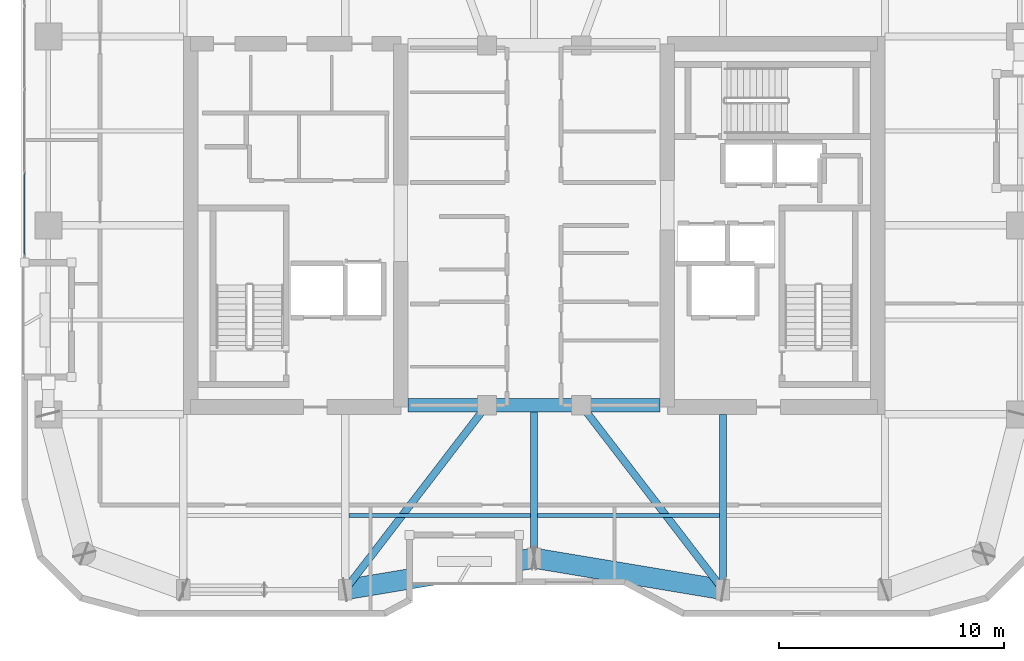
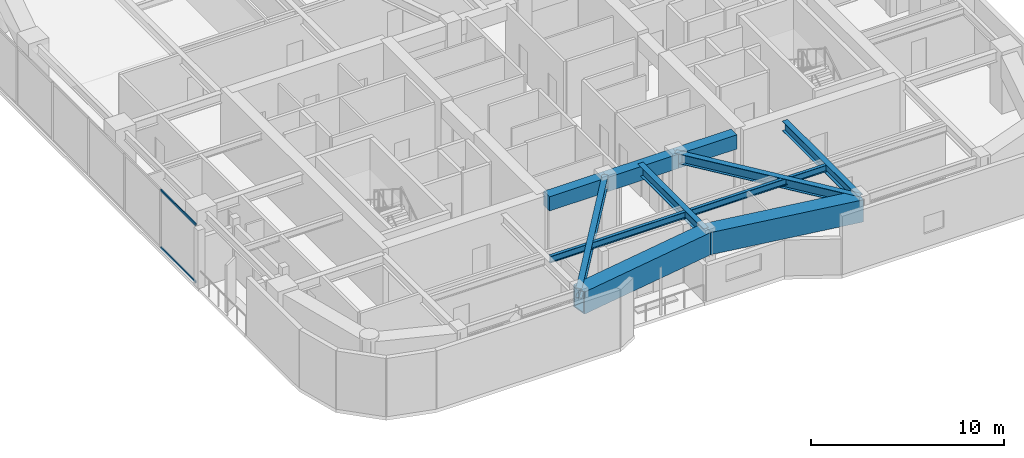
# One storey, part 3 of 21: 11 beams, 2 members, 1 element without a shape of its own.
"""IFC4 building model written with IfcOpenShell, lengths in metres."""

import ifcopenshell
import ifcopenshell.guid

model = None  # the IFC model being written
_history = None  # IfcOwnerHistory: only IFC2X3 demands one
_inside = {}  # id of a spatial element -> (the spatial element, [elements in it])
_under = {}  # id of a project, library or spatial element -> (it, [spatial elements below it])
_declared = {}  # id of a project -> (the project, [libraries it declares])
_typed = {}  # id of a type object -> (the type object, [elements of that type])
_made_of = {}  # id of a material, layer set ... -> (it, [elements and type objects made of it])


def new_model(schema):
    """Start an empty IFC model of exactly this schema.

    Asked for "IFC4X3", IfcOpenShell would pick the latest addendum, in which some entities
    have other attributes; the version numbers below select the first issue.
    IFC2X3 requires an IfcOwnerHistory on every rooted entity: one is made here for all.
    """
    global model, _history
    if schema == "IFC4X3":
        model = ifcopenshell.file(schema_version=(4, 3, 0, 0))
    else:
        model = ifcopenshell.file(schema=schema)
    _inside.clear()
    _under.clear()
    _declared.clear()
    _typed.clear()
    _made_of.clear()
    _history = None
    if model.schema == "IFC2X3":
        org = make("IfcOrganization", Name="unknown")
        user = make(
            "IfcPersonAndOrganization",
            ThePerson=make("IfcPerson", FamilyName="unknown"),
            TheOrganization=org,
        )
        app = make(
            "IfcApplication",
            ApplicationDeveloper=org,
            Version="unknown",
            ApplicationFullName="unknown",
            ApplicationIdentifier="unknown",
        )
        _history = make(
            "IfcOwnerHistory",
            OwningUser=user,
            OwningApplication=app,
            ChangeAction="ADDED",
            CreationDate=0,
        )
    return model


def make(cls, **values):
    """One entity of the class cls with the attributes given. An attribute that is None is left unset."""
    return model.create_entity(
        cls, **{name: value for name, value in values.items() if value is not None}
    )


def rooted(cls, **values):
    """An entity with a GlobalId (a new one), such as an element, a storey or a relation."""
    return make(cls, GlobalId=ifcopenshell.guid.new(), OwnerHistory=_history, **values)


def si_unit(unit_type, name, prefix=None):
    """IfcSIUnit, for example si_unit("LENGTHUNIT", "METRE", prefix="MILLI")."""
    return make("IfcSIUnit", UnitType=unit_type, Prefix=prefix, Name=name)


def assignment(units):
    """IfcUnitAssignment: the units of a project."""
    return None if units is None else make("IfcUnitAssignment", Units=units)


def point(xyz):
    """IfcCartesianPoint."""
    return None if xyz is None else make("IfcCartesianPoint", Coordinates=xyz)


def direction(xyz):
    """IfcDirection."""
    return None if xyz is None else make("IfcDirection", DirectionRatios=xyz)


def frame(location, z_axis=None, x_axis=None):
    """IfcAxis2Placement3D, a coordinate frame: its origin and axes. An axis left out is left unset."""
    return make(
        "IfcAxis2Placement3D",
        Location=point(location),
        Axis=direction(z_axis),
        RefDirection=direction(x_axis),
    )


def frame_2d(location, x_axis=None):
    """IfcAxis2Placement2D, a coordinate frame in the plane: its origin and x axis."""
    return make(
        "IfcAxis2Placement2D", Location=point(location), RefDirection=direction(x_axis)
    )


def origin():
    """The frame at (0, 0, 0) with its axes left unset."""
    return frame((0.0, 0.0, 0.0))


def origin_2d():
    """The frame at (0, 0) in the plane with its x axis left unset."""
    return frame_2d((0.0, 0.0))


def place(relative_to, where):
    """IfcLocalPlacement: puts the frame where relative to a parent placement (None: the world)."""
    return make(
        "IfcLocalPlacement", PlacementRelTo=relative_to, RelativePlacement=where
    )


def context(
    kind, dimensions, precision=None, world=None, true_north=None, identifier=None
):
    """IfcGeometricRepresentationContext, for example the 3D "Model" context."""
    return make(
        "IfcGeometricRepresentationContext",
        ContextIdentifier=identifier,
        ContextType=kind,
        CoordinateSpaceDimension=dimensions,
        Precision=precision,
        WorldCoordinateSystem=world,
        TrueNorth=true_north,
    )


def subcontext(parent, identifier, kind, view, scale=None):
    """IfcGeometricRepresentationSubContext, for example "Body" below "Model"."""
    return make(
        "IfcGeometricRepresentationSubContext",
        ContextIdentifier=identifier,
        ContextType=kind,
        ParentContext=parent,
        TargetScale=scale,
        TargetView=view,
    )


def project(units=None, contexts=None):
    """IfcProject with its units and contexts."""
    return rooted(
        "IfcProject",
        Name="project",
        RepresentationContexts=contexts,
        UnitsInContext=assignment(units),
    )


def spatial(cls, under=None, at=None, **own):
    """A site, building, storey or space (cls), placed at a placement, below another one or the project."""
    s = rooted(cls, ObjectPlacement=at, **own)
    if under is not None:
        _under.setdefault(under.id(), (under, []))[1].append(s)
    return s


def profile(cls, at=None, kind="AREA", **sizes):
    """A parametric profile (cls). Its sizes go by their IFC names, for example OverallWidth=200.0."""
    return make(cls, ProfileType=kind, Position=at, **sizes)


def rectangle(**sizes):
    """IfcRectangleProfileDef."""
    return profile("IfcRectangleProfileDef", **sizes)


def hollow_rectangle(**sizes):
    """IfcRectangleHollowProfileDef."""
    return profile("IfcRectangleHollowProfileDef", **sizes)


def i_section(**sizes):
    """IfcIShapeProfileDef."""
    return profile("IfcIShapeProfileDef", **sizes)


def extrude(swept, where, along, depth):
    """IfcExtrudedAreaSolid: the profile swept, set in the frame where, extruded along a direction by depth."""
    return make(
        "IfcExtrudedAreaSolid",
        SweptArea=swept,
        Position=where,
        ExtrudedDirection=direction(along),
        Depth=depth,
    )


def shape(context_of_items, identifier, shape_type, items):
    """IfcShapeRepresentation: the items that make up one representation, for example the "Body"."""
    return make(
        "IfcShapeRepresentation",
        ContextOfItems=context_of_items,
        RepresentationIdentifier=identifier,
        RepresentationType=shape_type,
        Items=items,
    )


def material(Name=None, Category=None):
    """IfcMaterial."""
    return make("IfcMaterial", Name=Name, Category=Category)


def layer(
    of_material, thickness, ventilated=None, Name=None, Category=None, Priority=None
):
    """IfcMaterialLayer: one layer of a wall or slab, of a material (None: an air gap)."""
    return make(
        "IfcMaterialLayer",
        Material=of_material,
        LayerThickness=thickness,
        IsVentilated=ventilated,
        Name=Name,
        Category=Category,
        Priority=Priority,
    )


def layer_set(layers, Name=None):
    """IfcMaterialLayerSet."""
    return make("IfcMaterialLayerSet", MaterialLayers=layers, LayerSetName=Name)


def material_profile(
    of_material, cross_section, Name=None, Category=None, Priority=None
):
    """IfcMaterialProfile: a cross section and its material."""
    return make(
        "IfcMaterialProfile",
        Name=Name,
        Material=of_material,
        Profile=cross_section,
        Priority=Priority,
        Category=Category,
    )


def profile_set(profiles, Name=None, composite=None):
    """IfcMaterialProfileSet."""
    return make(
        "IfcMaterialProfileSet",
        Name=Name,
        MaterialProfiles=profiles,
        CompositeProfile=composite,
    )


def made_of(thing, what):
    """Note that an element or type object is made of a material, layer set ...; save() writes the relation."""
    if what is not None:
        _made_of.setdefault(what.id(), (what, []))[1].append(thing)
    return thing


def type_object(cls, material=None, **own):
    """A type object (cls), such as IfcWallType, which elements share."""
    return made_of(rooted(cls, **own), material)


def element(
    cls,
    number,
    at=None,
    inside=None,
    cuts=None,
    type_object=None,
    material=None,
    context=None,
    identifier="Body",
    shape_type=None,
    held_by="IfcProductDefinitionShape",
    body=None,
    shapes=None,
    **own,
):
    """One element of the class cls, such as IfcWall. Its Tag is "e" and its number.

    at: its placement. inside: the storey or other place that contains it. cuts: it is an
    opening in that element (IfcRelVoidsElement). A single representation is given by context,
    identifier, shape_type and body (its items); several are given by shapes. held_by: the class
    of the entity that holds the representations. save() writes the other relations.
    """
    e = rooted(cls, Tag="e%d" % number, ObjectPlacement=at, **own)
    if body is not None:
        shapes = [shape(context, identifier, shape_type, body)]
    if shapes is not None:
        e.Representation = make(held_by, Representations=shapes)
    if inside is not None:
        _inside.setdefault(inside.id(), (inside, []))[1].append(e)
    if cuts is not None:
        rooted(
            "IfcRelVoidsElement", RelatingBuildingElement=cuts, RelatedOpeningElement=e
        )
    if type_object is not None:
        _typed.setdefault(type_object.id(), (type_object, []))[1].append(e)
    return made_of(e, material)


def aggregate(whole, parts):
    """IfcRelAggregates: a whole, such as a stair, and the parts it consists of."""
    return rooted("IfcRelAggregates", RelatingObject=whole, RelatedObjects=parts)


def save(model, path):
    """Write the relations noted so far, then the file.

    IfcRelAggregates (storeys below a building ...), IfcRelContainedInSpatialStructure (elements
    in a storey), IfcRelDefinesByType, IfcRelAssociatesMaterial and IfcRelDeclares: one each for
    every whole, place, type object, material and project.
    """
    for whole, parts in _under.values():
        aggregate(whole, parts)
    for where, things in _inside.values():
        rooted(
            "IfcRelContainedInSpatialStructure",
            RelatedElements=things,
            RelatingStructure=where,
        )
    for kind, things in _typed.values():
        rooted("IfcRelDefinesByType", RelatedObjects=things, RelatingType=kind)
    for what, things in _made_of.values():
        rooted("IfcRelAssociatesMaterial", RelatedObjects=things, RelatingMaterial=what)
    for by, libraries in _declared.values():
        rooted("IfcRelDeclares", RelatingContext=by, RelatedDefinitions=libraries)
    model.write(path)


model = new_model("IFC4")

# Units and contexts
model_context = context("Model", 3, precision=1e-05, world=origin(), true_north=direction((0.0, 1.0)))
body_context = subcontext(model_context, "Body", "Model", "MODEL_VIEW")
ifc_project = project(units=[si_unit("LENGTHUNIT", "METRE"), si_unit("AREAUNIT", "SQUARE_METRE"), si_unit("VOLUMEUNIT", "CUBIC_METRE"), si_unit("PLANEANGLEUNIT", "RADIAN"), si_unit("MASSUNIT", "GRAM", prefix="KILO")], contexts=[model_context])

# Site, building, storey
site_placement = place(None, origin())
site = spatial("IfcSite", under=ifc_project, at=site_placement, CompositionType="ELEMENT")
building_placement = place(site_placement, origin())
building = spatial("IfcBuilding", under=site, at=building_placement, Name="Kiyonajd Concourse Tower", CompositionType="ELEMENT")
storey_placement = place(building_placement, frame((0.0, 0.0, 223.199951171875)))
storey = spatial("IfcBuildingStorey", under=building, at=storey_placement, Name="L56", CompositionType="ELEMENT", Elevation=223.199951171875)

# Beams
ifc_material_1 = material(Name="Concrete C60/75", Category="concrete")
ifc_material_profile_1 = material_profile(ifc_material_1, rectangle(XDim=0.60009765625, YDim=0.89990234375, at=origin_2d()), Name="RCBM-600x900")
ifc_profile_set_1 = profile_set([ifc_material_profile_1], Name="Concrete C60/75")
beam_type_1 = type_object("IfcBeamType", Name="BM-COUP-900", PredefinedType="LINTEL", material=ifc_profile_set_1)
beam_1_placement = place(storey_placement, frame((42.39990234375, 28.0, 3.22998046875), z_axis=(1.0, 0.0, 0.0), x_axis=(0.0, 1.0, 0.0)))
element("IfcBeam", 1, at=beam_1_placement, inside=storey, type_object=beam_type_1, Name="L56 Core Coupling Beam S1", PredefinedType="LINTEL", context=body_context, shape_type="SweptSolid", body=[
    extrude(rectangle(XDim=0.60009765625, YDim=0.89990234375, at=origin_2d()), origin(), (0.0, 0.0, 1.0), 3.5),
])
beam_2_placement = place(storey_placement, frame((45.89990234375, 28.0, 3.22998046875), z_axis=(1.0, 0.0, 0.0), x_axis=(0.0, 1.0, 0.0)))
element("IfcBeam", 2, at=beam_2_placement, inside=storey, type_object=beam_type_1, Name="L56 Core Coupling Beam S2", PredefinedType="LINTEL", context=body_context, shape_type="SweptSolid", body=[
    extrude(rectangle(XDim=0.60009765625, YDim=0.89990234375, at=origin_2d()), origin(), (0.0, 0.0, 1.0), 4.2001953125),
])
beam_3_placement = place(storey_placement, frame((50.10009765625, 28.0, 3.22998046875), z_axis=(1.0, 0.0, 0.0), x_axis=(0.0, 1.0, 0.0)))
element("IfcBeam", 3, at=beam_3_placement, inside=storey, type_object=beam_type_1, Name="L56 Core Coupling Beam S3", PredefinedType="LINTEL", context=body_context, shape_type="SweptSolid", body=[
    extrude(rectangle(XDim=0.60009765625, YDim=0.89990234375, at=origin_2d()), origin(), (0.0, 0.0, 1.0), 3.5),
])
ifc_material_2 = material(Name="Steel ASTM A992 Grade 50", Category="steel")
ifc_material_profile_2 = material_profile(ifc_material_2, i_section(OverallWidth=0.180908203125, OverallDepth=0.4169921875, WebThickness=0.010986328125, FlangeThickness=0.018310546875, at=origin_2d()), Name="W410X85")
ifc_profile_set_2 = profile_set([ifc_material_profile_2], Name="Steel ASTM A992 Grade 50")
beam_type_2 = type_object("IfcBeamType", Name="BM-JST-410", PredefinedType="JOIST", material=ifc_profile_set_2)
for number, where, z_axis, x_axis, name in (
    (4, (39.761962890625, 23.10009765625, 3.471435546875), (1.0, 0.0, 0.0), (0.0, 1.0, 0.0), "L56 Secondary Floor Joist"),
    (5, (48.162109375, 23.10009765625, 3.471435546875), (1.0, 0.0, 0.0), (0.0, 1.0, 0.0), "L56 Secondary Floor Joist"),
):
    element("IfcBeam", number, at=place(storey_placement, frame(where, z_axis=z_axis, x_axis=x_axis)), inside=storey, type_object=beam_type_2, Name=name, PredefinedType="JOIST", context=body_context, shape_type="SweptSolid", body=[
        extrude(i_section(OverallWidth=0.180908203125, OverallDepth=0.4169921875, WebThickness=0.010986328125, FlangeThickness=0.018310546875, at=origin_2d()), origin(), (0.0, 0.0, 1.0), 8.075927734375),
    ])
ifc_material_profile_3 = material_profile(ifc_material_2, i_section(OverallWidth=0.326904296875, OverallDepth=0.6220703125, WebThickness=0.015380859375, FlangeThickness=0.0244140625, at=origin_2d()), Name="W610X195")
ifc_profile_set_3 = profile_set([ifc_material_profile_3], Name="Steel ASTM A992 Grade 50")
beam_type_3 = type_object("IfcBeamType", Name="BM-TWR-610A", PredefinedType="BEAM", material=ifc_profile_set_3)
for number, where, z_axis, x_axis, name in (
    (6, (39.60009765625, 19.800048828125, 3.369140625), (0.609233709922, 0.792990722956, 0.0), (-0.792990722956, 0.609233709922, 0.0), "L56 Core Tie Girder"),
    (7, (50.10009765625, 28.0, 3.369140625), (0.609233709922, -0.792990722956, 0.0), (0.792990722956, 0.609233709922, 0.0), "L56 Core Tie Girder"),
):
    element("IfcBeam", number, at=place(storey_placement, frame(where, z_axis=z_axis, x_axis=x_axis)), inside=storey, type_object=beam_type_3, Name=name, PredefinedType="BEAM", context=body_context, shape_type="SweptSolid", body=[
        extrude(i_section(OverallWidth=0.326904296875, OverallDepth=0.6220703125, WebThickness=0.015380859375, FlangeThickness=0.0244140625, at=origin_2d()), origin(), (0.0, 0.0, 1.0), 10.340576171875),
    ])
ifc_material_profile_4 = material_profile(ifc_material_2, i_section(OverallWidth=0.323974609375, OverallDepth=0.611083984375, WebThickness=0.0126953125, FlangeThickness=0.01904296875, at=origin_2d()), Name="W610X155")
ifc_profile_set_4 = profile_set([ifc_material_profile_4], Name="Steel ASTM A992 Grade 50")
beam_type_4 = type_object("IfcBeamType", Name="BM-TWR-610B", PredefinedType="BEAM", material=ifc_profile_set_4)
beam_4_placement = place(storey_placement, frame((56.39990234375, 19.800048828125, 3.37451171875), z_axis=(0.0, 1.0, 0.0), x_axis=(-1.0, 0.0, 0.0)))
element("IfcBeam", 8, at=beam_4_placement, inside=storey, type_object=beam_type_4, Name="L56 South Lease Girder", PredefinedType="BEAM", context=body_context, shape_type="SweptSolid", body=[
    extrude(i_section(OverallWidth=0.323974609375, OverallDepth=0.611083984375, WebThickness=0.0126953125, FlangeThickness=0.01904296875, at=origin_2d()), origin(), (0.0, 0.0, 1.0), 7.800048828125),
])
beam_5_placement = place(storey_placement, frame((48.0, 21.199951171875, 3.37451171875), z_axis=(0.0, 1.0, 0.0), x_axis=(-1.0, 0.0, 0.0)))
element("IfcBeam", 9, at=beam_5_placement, inside=storey, type_object=beam_type_4, Name="L56 South Ribbon Girder", PredefinedType="BEAM", context=body_context, shape_type="SweptSolid", body=[
    extrude(i_section(OverallWidth=0.323974609375, OverallDepth=0.611083984375, WebThickness=0.0126953125, FlangeThickness=0.01904296875, at=origin_2d()), origin(), (0.0, 0.0, 1.0), 6.800048828125),
])
ifc_material_3 = material(Name="Steel ASTM A572 Grade 50", Category="steel")
ifc_material_profile_5 = material_profile(ifc_material_3, hollow_rectangle(XDim=0.89990234375, YDim=1.39990234375, WallThickness=0.070068359375, at=origin_2d()), Name="BOX-1400x900x70")
ifc_profile_set_5 = profile_set([ifc_material_profile_5], Name="Steel ASTM A572 Grade 50")
beam_type_5 = type_object("IfcBeamType", Name="BM-XFER-1400", PredefinedType="BEAM", material=ifc_profile_set_5)
for number, where, z_axis, x_axis, name in (
    (10, (39.60009765625, 19.800048828125, 2.97998046875), (0.986395473479, 0.164389689151, 0.0), (-0.164389689151, 0.986395473479, 0.0), "L56 Perimeter Bundled Tube Spandrel"),
    (11, (48.0, 21.199951171875, 2.97998046875), (0.986395473479, -0.164389689151, 0.0), (0.164389689151, 0.986395473479, 0.0), "L56 Perimeter Bundled Tube Spandrel"),
):
    element("IfcBeam", number, at=place(storey_placement, frame(where, z_axis=z_axis, x_axis=x_axis)), inside=storey, type_object=beam_type_5, Name=name, PredefinedType="BEAM", context=body_context, shape_type="SweptSolid", body=[
        extrude(hollow_rectangle(XDim=0.89990234375, YDim=1.39990234375, WallThickness=0.070068359375, at=origin_2d()), origin(), (0.0, 0.0, 1.0), 8.515869140625),
    ])

# Curtain wall, members
ifc_material_4 = material(Name="Thermally Broken Anodised Aluminium", Category="aluminium")
ifc_layer = layer(ifc_material_4, 0.179931640625)
ifc_layer_set = layer_set([ifc_layer], Name="Thermally Broken Anodised Aluminium")
curtain_wall_type = type_object("IfcCurtainWallType", Name="CW-SYS-04", PredefinedType="NOTDEFINED", material=ifc_layer_set)
curtain_wall_placement = place(storey_placement, origin())
curtain_wall = element("IfcCurtainWall", 12, at=curtain_wall_placement, inside=storey, type_object=curtain_wall_type, Name="L56 Unitised Curtain Wall CW4", PredefinedType="NOTDEFINED")
ifc_material_profile_6 = material_profile(ifc_material_4, hollow_rectangle(XDim=0.06494140625, YDim=0.139892578125, WallThickness=0.00390625, at=origin_2d()), Name="TRAN-65x140")
ifc_profile_set_6 = profile_set([ifc_material_profile_6], Name="Thermally Broken Anodised Aluminium")
member_type = type_object("IfcMemberType", Name="MB-CW-TRAN1", PredefinedType="USERDEFINED", material=ifc_profile_set_6)
member_1_placement = place(storey_placement, frame((25.340087890625, 34.695068359375, 0.032470703125), z_axis=(0.0, 1.0, 0.0), x_axis=(-1.0, 0.0, 0.0)))
member_1 = element("IfcMember", 13, at=member_1_placement, type_object=member_type, Name="CW4 transom 1.1", ObjectType="TRANSOM", PredefinedType="USERDEFINED", context=body_context, shape_type="SweptSolid", body=[
    extrude(hollow_rectangle(XDim=0.06494140625, YDim=0.139892578125, WallThickness=0.00390625, at=origin_2d()), origin(), (0.0, 0.0, 1.0), 3.61279296875),
])
member_2_placement = place(storey_placement, frame((25.340087890625, 34.695068359375, 3.6474609375), z_axis=(0.0, 1.0, 0.0), x_axis=(-1.0, 0.0, 0.0)))
member_2 = element("IfcMember", 14, at=member_2_placement, type_object=member_type, Name="CW4 transom 1.2", ObjectType="TRANSOM", PredefinedType="USERDEFINED", context=body_context, shape_type="SweptSolid", body=[
    extrude(hollow_rectangle(XDim=0.06494140625, YDim=0.139892578125, WallThickness=0.00390625, at=origin_2d()), origin(), (0.0, 0.0, 1.0), 3.61279296875),
])
aggregate(curtain_wall, [member_1, member_2])

save(model, "model.ifc")
